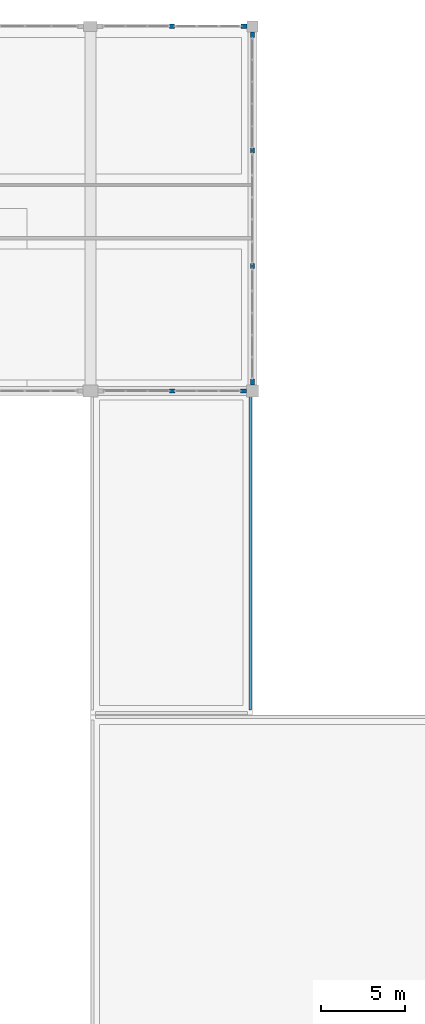
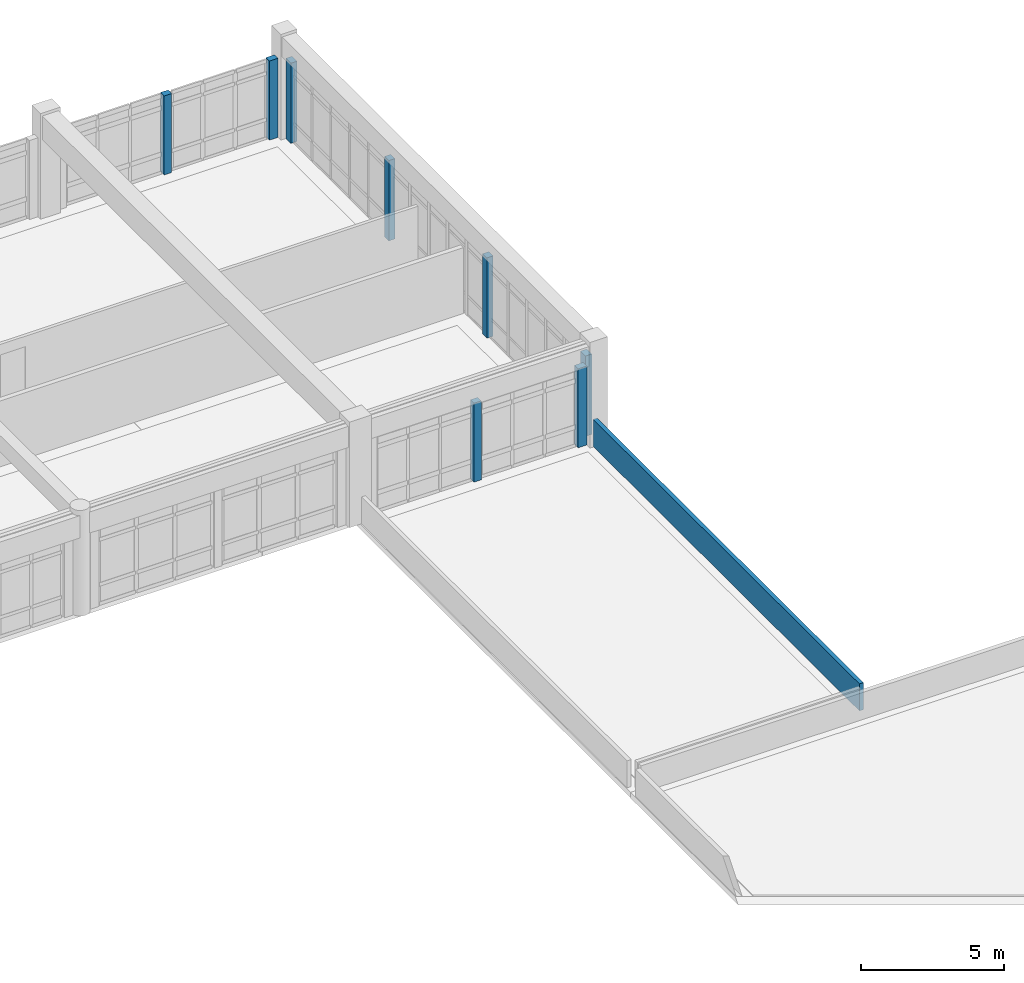
# One storey, part 95 of 109: 9 walls.
"""IFC4 building model written with IfcOpenShell, lengths in metres."""

from ifc_helpers import new_model, si_unit, direction, frame, frame_2d, origin, place, context, subcontext, project, spatial, rectangle, extrude, material, layer, layer_set, type_object, element, save


model = new_model("IFC4")

# Units and contexts
model_context = context("Model", 3, precision=1e-05, world=origin(), true_north=direction((0.0, 1.0)))
body_context = subcontext(model_context, "Body", "Model", "MODEL_VIEW")
ifc_project = project(units=[si_unit("LENGTHUNIT", "METRE"), si_unit("AREAUNIT", "SQUARE_METRE"), si_unit("VOLUMEUNIT", "CUBIC_METRE"), si_unit("PLANEANGLEUNIT", "RADIAN"), si_unit("MASSUNIT", "GRAM", prefix="KILO")], contexts=[model_context])

# Site, building, storey
site_placement = place(None, origin())
site = spatial("IfcSite", under=ifc_project, at=site_placement, CompositionType="ELEMENT")
building_placement = place(site_placement, origin())
building = spatial("IfcBuilding", under=site, at=building_placement, Name="Fikremerkos Civic Library", CompositionType="ELEMENT")
storey_placement = place(building_placement, frame((0.0, 0.0, 5.39990234375)))
storey = spatial("IfcBuildingStorey", under=building, at=storey_placement, Name="L01", CompositionType="ELEMENT", Elevation=5.39990234375)

# Walls
ifc_material = material(Name="Precast concrete C40/50", Category="concrete")
ifc_layer_1 = layer(ifc_material, 0.25, Name="Precast concrete C40/50")
ifc_layer_set_1 = layer_set([ifc_layer_1], Name="Precast concrete C40/50")
wall_type_1 = type_object("IfcWallType", Name="Exterior solid wall ESW-05 250", PredefinedType="SOLIDWALL", material=ifc_layer_set_1)
for number, where, z_axis, x_axis, name in (
    (1, (134.39990234375, 117.277099609375, 0.0), (0.0, 0.0, 1.0), (0.0, -1.0, 0.0), "Exterior facade pier ESW-05 #413"),
    (2, (134.39990234375, 96.697998046875, 0.0), (0.0, 0.0, 1.0), (0.0, -1.0, 0.0), "Exterior facade pier ESW-05 #414"),
):
    element("IfcWall", number, at=place(storey_placement, frame(where, z_axis=z_axis, x_axis=x_axis)), inside=storey, type_object=wall_type_1, Name=name, PredefinedType="SOLIDWALL", context=body_context, shape_type="SweptSolid", body=[
        extrude(rectangle(XDim=0.35009765625, YDim=0.25, at=frame_2d((0.175048828125, 0.0))), origin(), (0.0, 0.0, 1.0), 3.420166015625),
    ])
for number, where, z_axis, x_axis, name in (
    (3, (134.39990234375, 110.384033203125, 0.0), (0.0, 0.0, 1.0), (0.0, -1.0, 0.0), "Exterior facade mullion pier ESW-05 #415"),
    (4, (134.39990234375, 103.541015625, 0.0), (0.0, 0.0, 1.0), (0.0, -1.0, 0.0), "Exterior facade mullion pier ESW-05 #416"),
):
    element("IfcWall", number, at=place(storey_placement, frame(where, z_axis=z_axis, x_axis=x_axis)), inside=storey, type_object=wall_type_1, Name=name, PredefinedType="SOLIDWALL", context=body_context, shape_type="SweptSolid", body=[
        extrude(rectangle(XDim=0.300048828125, YDim=0.25, at=frame_2d((0.14990234375, 0.0))), origin(), (0.0, 0.0, 1.0), 3.420166015625),
    ])
wall_1_placement = place(storey_placement, frame((134.052001953125, 96.0, 0.0), z_axis=(0.0, 0.0, 1.0), x_axis=(-1.0, 0.0, 0.0)))
element("IfcWall", 5, at=wall_1_placement, inside=storey, type_object=wall_type_1, Name="Exterior facade pier ESW-05 #417", PredefinedType="SOLIDWALL", context=body_context, shape_type="SweptSolid", body=[
    extrude(rectangle(XDim=0.35009765625, YDim=0.25, at=frame_2d((0.175048828125, 0.0))), origin(), (0.0, 0.0, 1.0), 3.3671875),
])
wall_2_placement = place(storey_placement, frame((129.800048828125, 96.0, 0.0), z_axis=(0.0, 0.0, 1.0), x_axis=(-1.0, 0.0, 0.0)))
element("IfcWall", 6, at=wall_2_placement, inside=storey, type_object=wall_type_1, Name="Exterior facade mullion pier ESW-05 #419", PredefinedType="SOLIDWALL", context=body_context, shape_type="SweptSolid", body=[
    extrude(rectangle(XDim=0.300048828125, YDim=0.25, at=frame_2d((0.14990234375, 0.0))), origin(), (0.0, 0.0, 1.0), 3.3671875),
])
wall_3_placement = place(storey_placement, frame((133.72705078125, 117.60009765625, 0.0), z_axis=(0.0, 0.0, 1.0), x_axis=(1.0, 0.0, 0.0)))
element("IfcWall", 7, at=wall_3_placement, inside=storey, type_object=wall_type_1, Name="Exterior facade pier ESW-05 #455", PredefinedType="SOLIDWALL", context=body_context, shape_type="SweptSolid", body=[
    extrude(rectangle(XDim=0.349853515625, YDim=0.25, at=frame_2d((0.1748046875, 0.0))), origin(), (0.0, 0.0, 1.0), 3.3671875),
])
wall_4_placement = place(storey_placement, frame((129.487548828125, 117.60009765625, 0.0), z_axis=(0.0, 0.0, 1.0), x_axis=(1.0, 0.0, 0.0)))
element("IfcWall", 8, at=wall_4_placement, inside=storey, type_object=wall_type_1, Name="Exterior facade mullion pier ESW-05 #456", PredefinedType="SOLIDWALL", context=body_context, shape_type="SweptSolid", body=[
    extrude(rectangle(XDim=0.300048828125, YDim=0.25, at=frame_2d((0.14990234375, 0.0))), origin(), (0.0, 0.0, 1.0), 3.3671875),
])
ifc_layer_2 = layer(ifc_material, 0.159912109375, Name="Precast concrete C40/50")
ifc_layer_set_2 = layer_set([ifc_layer_2], Name="Precast concrete C40/50")
wall_type_2 = type_object("IfcWallType", Name="Roof parapet wall PAR-02 160", PredefinedType="PARAPET", material=ifc_layer_set_2)
wall_5_placement = place(storey_placement, frame((134.280029296875, 77.10009765625, 0.0), z_axis=(0.0, 0.0, 1.0), x_axis=(0.0, 1.0, 0.0)))
element("IfcWall", 9, at=wall_5_placement, inside=storey, type_object=wall_type_2, Name="Roof parapet wall PAR-02 RF-L01-V2L E", PredefinedType="PARAPET", context=body_context, shape_type="SweptSolid", body=[
    extrude(rectangle(XDim=18.599853515625, YDim=0.159912109375, at=frame_2d((9.2998046875, 0.0))), origin(), (0.0, 0.0, 1.0), 1.150146484375),
])

save(model, "model.ifc")
